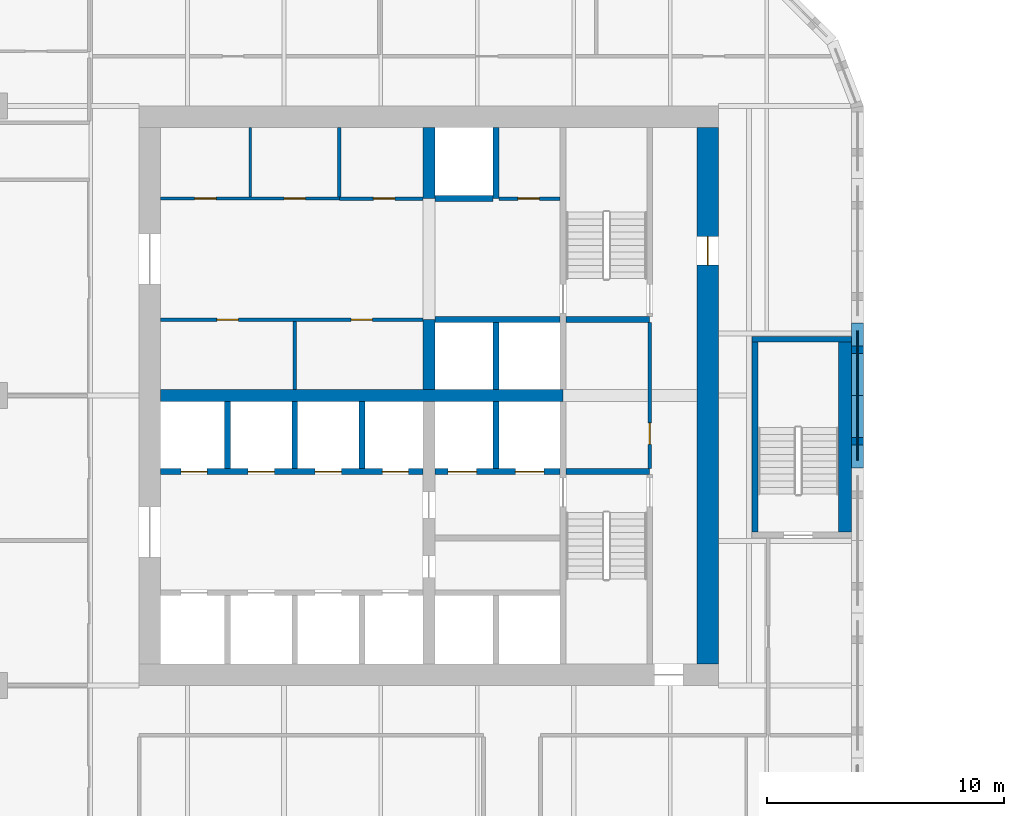
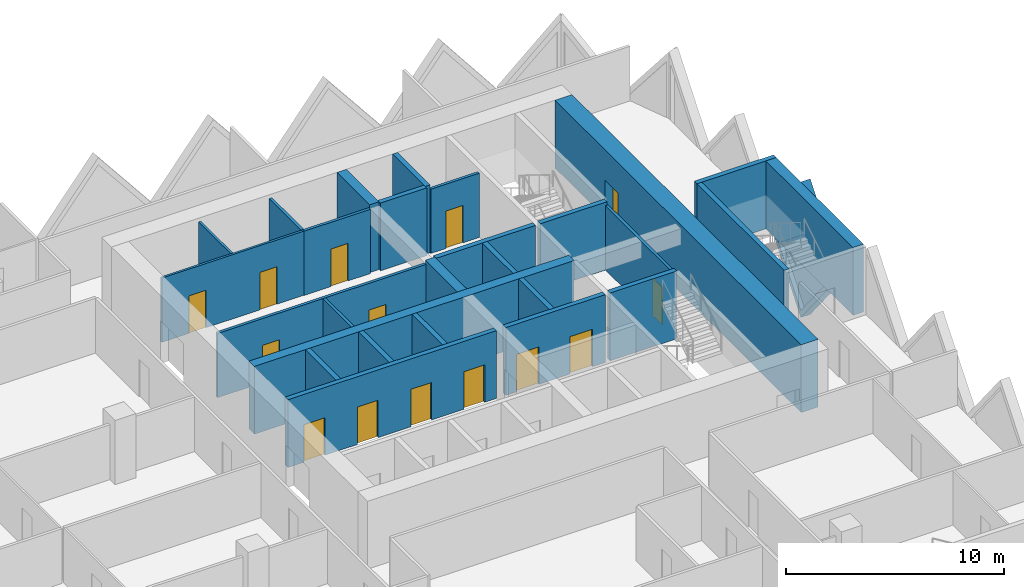
# One storey, part 9 of 18: 28 walls, 14 doors, 1 plate, 15 openings.
"""IFC4 building model written with IfcOpenShell, lengths in metres."""

from ifc_helpers import new_model, si_unit, direction, frame, frame_2d, origin, place, context, subcontext, project, spatial, polyline, rectangle, outline, extrude, faceted_brep, source, transform, mapped, material, layer, layer_set, type_object, element, fill, save


model = new_model("IFC4")

# Units and contexts
model_context = context("Model", 3, precision=1e-05, world=origin(), true_north=direction((0.0, 1.0)))
body_context = subcontext(model_context, "Body", "Model", "MODEL_VIEW")
ifc_project = project(units=[si_unit("LENGTHUNIT", "METRE"), si_unit("AREAUNIT", "SQUARE_METRE"), si_unit("VOLUMEUNIT", "CUBIC_METRE"), si_unit("PLANEANGLEUNIT", "RADIAN"), si_unit("MASSUNIT", "GRAM", prefix="KILO")], contexts=[model_context])

# Site, building, storey
site_placement = place(None, origin())
site = spatial("IfcSite", under=ifc_project, at=site_placement, CompositionType="ELEMENT")
building_placement = place(site_placement, origin())
building = spatial("IfcBuilding", under=site, at=building_placement, Name="Tessera Gate Towers", CompositionType="ELEMENT")
storey_placement = place(building_placement, frame((0.0, 0.0, 37.199951171875)))
storey = spatial("IfcBuildingStorey", under=building, at=storey_placement, Name="L08", CompositionType="ELEMENT", Elevation=37.199951171875)

# Wall, openings, doors
ifc_material_1 = material(Name="Concrete C40/50", Category="concrete")
ifc_layer_1 = layer(ifc_material_1, 0.25)
ifc_layer_set_1 = layer_set([ifc_layer_1], Name="CORE ENCLOSURE WALL 250")
wall_type_1 = type_object("IfcWallType", Name="CORE ENCLOSURE WALL 250", PredefinedType="SOLIDWALL", material=ifc_layer_set_1)
wall_1_placement = place(storey_placement, frame((42.449951171875, 33.39990234375, 0.0), z_axis=(0.0, 0.0, 1.0), x_axis=(-1.0, 0.0, 0.0)))
wall_1 = element("IfcWall", 1, at=wall_1_placement, inside=storey, type_object=wall_type_1, Name="L08 shaft and stair enclosure wall", PredefinedType="SOLIDWALL", context=body_context, shape_type="SweptSolid", body=[
    extrude(rectangle(XDim=11.050048828125, YDim=0.25, at=frame_2d((5.52490234375, 0.0))), origin(), (0.0, 0.0, 1.0), 3.800048828125),
])
shared_shape_1 = source(origin(), body_context, "Body", "SweptSolid", [
    extrude(rectangle(XDim=1.10009765625, YDim=2.10009765625, at=frame_2d((0.550048828125, 1.050048828125))), frame((0.0, 0.135009765625, 0.0), z_axis=(0.0, -1.0, 0.0), x_axis=(1.0, 0.0, 0.0)), (0.0, 0.0, 1.0), 0.27001953125),
])
opening_1_placement = place(wall_1_placement, frame((9.08740234375, 0.0, 0.0)))
opening_1 = element("IfcOpeningElement", 2, at=opening_1_placement, cuts=wall_1, Name="Opening LD-LR5", PredefinedType="OPENING", context=body_context, shape_type="MappedRepresentation", body=[
    mapped(shared_shape_1, transform((0.0, 0.0, 0.0), scale=1.0)),
])
opening_2_placement = place(wall_1_placement, frame((6.262451171875, 0.0, 0.0)))
opening_2 = element("IfcOpeningElement", 3, at=opening_2_placement, cuts=wall_1, Name="Opening LD-LR6", PredefinedType="OPENING", context=body_context, shape_type="MappedRepresentation", body=[
    mapped(shared_shape_1, transform((0.0, 0.0, 0.0), scale=1.0)),
])
opening_3_placement = place(wall_1_placement, frame((3.4375, 0.0, 0.0)))
opening_3 = element("IfcOpeningElement", 4, at=opening_3_placement, cuts=wall_1, Name="Opening LD-LR7", PredefinedType="OPENING", context=body_context, shape_type="MappedRepresentation", body=[
    mapped(shared_shape_1, transform((0.0, 0.0, 0.0), scale=1.0)),
])
opening_4_placement = place(wall_1_placement, frame((0.612548828125, 0.0, 0.0)))
opening_4 = element("IfcOpeningElement", 5, at=opening_4_placement, cuts=wall_1, Name="Opening LD-LR8", PredefinedType="OPENING", context=body_context, shape_type="MappedRepresentation", body=[
    mapped(shared_shape_1, transform((0.0, 0.0, 0.0), scale=1.0)),
])
ifc_material_2 = material(Name="Stainless steel", Category="steel")
door_type_1 = type_object("IfcDoorType", Name="CORE DOOR LD 1100x2100", OperationType="DOUBLE_DOOR_SLIDING", PredefinedType="DOOR", material=ifc_material_2)
shared_shape_2 = source(origin(), body_context, "Body", "SweptSolid", [
    extrude(rectangle(XDim=1.10009765625, YDim=2.10009765625, at=frame_2d((0.550048828125, 1.050048828125))), frame((0.0, 0.02490234375, 0.0), z_axis=(0.0, -1.0, 0.0), x_axis=(1.0, 0.0, 0.0)), (0.0, 0.0, 1.0), 0.050048828125),
])
door_1_placement = place(opening_1_placement, origin())
door_1 = element("IfcDoor", 6, at=door_1_placement, inside=storey, type_object=door_type_1, Name="Landing door LR5 L08", OperationType="DOUBLE_DOOR_SLIDING", OverallHeight=2.10009765625, OverallWidth=1.10009765625, PredefinedType="DOOR", context=body_context, shape_type="MappedRepresentation", body=[
    mapped(shared_shape_2, transform((0.0, 0.0, 0.0), scale=1.0)),
])
fill(opening_1, door_1)
door_2_placement = place(opening_2_placement, origin())
door_2 = element("IfcDoor", 7, at=door_2_placement, inside=storey, type_object=door_type_1, Name="Landing door LR6 L08", OperationType="DOUBLE_DOOR_SLIDING", OverallHeight=2.10009765625, OverallWidth=1.10009765625, PredefinedType="DOOR", context=body_context, shape_type="MappedRepresentation", body=[
    mapped(shared_shape_2, transform((0.0, 0.0, 0.0), scale=1.0)),
])
fill(opening_2, door_2)
door_3_placement = place(opening_3_placement, origin())
door_3 = element("IfcDoor", 8, at=door_3_placement, inside=storey, type_object=door_type_1, Name="Landing door LR7 L08", OperationType="DOUBLE_DOOR_SLIDING", OverallHeight=2.10009765625, OverallWidth=1.10009765625, PredefinedType="DOOR", context=body_context, shape_type="MappedRepresentation", body=[
    mapped(shared_shape_2, transform((0.0, 0.0, 0.0), scale=1.0)),
])
fill(opening_3, door_3)
door_4_placement = place(opening_4_placement, origin())
door_4 = element("IfcDoor", 9, at=door_4_placement, inside=storey, type_object=door_type_1, Name="Landing door LR8 L08", OperationType="DOUBLE_DOOR_SLIDING", OverallHeight=2.10009765625, OverallWidth=1.10009765625, PredefinedType="DOOR", context=body_context, shape_type="MappedRepresentation", body=[
    mapped(shared_shape_2, transform((0.0, 0.0, 0.0), scale=1.0)),
])
fill(opening_4, door_4)

wall_2_placement = place(storey_placement, frame((48.22509765625, 33.39990234375, 0.0), z_axis=(0.0, 0.0, 1.0), x_axis=(-1.0, 0.0, 0.0)))
wall_2 = element("IfcWall", 10, at=wall_2_placement, inside=storey, type_object=wall_type_1, Name="L08 shaft and stair enclosure wall", PredefinedType="SOLIDWALL", context=body_context, shape_type="SweptSolid", body=[
    extrude(rectangle(XDim=5.275146484375, YDim=0.25, at=frame_2d((2.6376953125, 0.0))), origin(), (0.0, 0.0, 1.0), 3.800048828125),
])
shared_shape_3 = source(origin(), body_context, "Body", "SweptSolid", [
    extrude(rectangle(XDim=1.199951171875, YDim=2.10009765625, at=frame_2d((0.60009765625, 1.050048828125))), frame((0.0, 0.135009765625, 0.0), z_axis=(0.0, -1.0, 0.0), x_axis=(1.0, 0.0, 0.0)), (0.0, 0.0, 1.0), 0.27001953125),
])
opening_5_placement = place(wall_2_placement, frame((3.512451171875, 0.0, 0.0)))
opening_5 = element("IfcOpeningElement", 11, at=opening_5_placement, cuts=wall_2, Name="Opening LD-FF1", PredefinedType="OPENING", context=body_context, shape_type="MappedRepresentation", body=[
    mapped(shared_shape_3, transform((0.0, 0.0, 0.0), scale=1.0)),
])
opening_6_placement = place(wall_2_placement, frame((0.6875, 0.0, 0.0)))
opening_6 = element("IfcOpeningElement", 12, at=opening_6_placement, cuts=wall_2, Name="Opening LD-FF2", PredefinedType="OPENING", context=body_context, shape_type="MappedRepresentation", body=[
    mapped(shared_shape_3, transform((0.0, 0.0, 0.0), scale=1.0)),
])
ifc_material_3 = material(Name="Stainless steel", Category="steel")
door_type_2 = type_object("IfcDoorType", Name="CORE DOOR LD1200 1200x2100", OperationType="DOUBLE_DOOR_SLIDING", PredefinedType="DOOR", material=ifc_material_3)
shared_shape_4 = source(origin(), body_context, "Body", "SweptSolid", [
    extrude(rectangle(XDim=1.199951171875, YDim=2.10009765625, at=frame_2d((0.60009765625, 1.050048828125))), frame((0.0, 0.02490234375, 0.0), z_axis=(0.0, -1.0, 0.0), x_axis=(1.0, 0.0, 0.0)), (0.0, 0.0, 1.0), 0.050048828125),
])
door_5_placement = place(opening_5_placement, origin())
door_5 = element("IfcDoor", 13, at=door_5_placement, inside=storey, type_object=door_type_2, Name="Landing door FF1 L08", OperationType="DOUBLE_DOOR_SLIDING", OverallHeight=2.10009765625, OverallWidth=1.199951171875, PredefinedType="DOOR", context=body_context, shape_type="MappedRepresentation", body=[
    mapped(shared_shape_4, transform((0.0, 0.0, 0.0), scale=1.0)),
])
fill(opening_5, door_5)
door_6_placement = place(opening_6_placement, origin())
door_6 = element("IfcDoor", 14, at=door_6_placement, inside=storey, type_object=door_type_2, Name="Landing door FF2 L08", OperationType="DOUBLE_DOOR_SLIDING", OverallHeight=2.10009765625, OverallWidth=1.199951171875, PredefinedType="DOOR", context=body_context, shape_type="MappedRepresentation", body=[
    mapped(shared_shape_4, transform((0.0, 0.0, 0.0), scale=1.0)),
])
fill(opening_6, door_6)

# Walls
wall_3_placement = place(storey_placement, frame((48.47509765625, 33.39990234375, 0.0), z_axis=(0.0, 0.0, 1.0), x_axis=(1.0, 0.0, 0.0)))
element("IfcWall", 15, at=wall_3_placement, inside=storey, type_object=wall_type_1, Name="L08 shaft and stair enclosure wall", PredefinedType="SOLIDWALL", context=body_context, shape_type="SweptSolid", body=[
    extrude(rectangle(XDim=3.52490234375, YDim=0.25, at=frame_2d((1.762451171875, 0.0))), origin(), (0.0, 0.0, 1.0), 3.800048828125),
])
wall_4_placement = place(storey_placement, frame((42.949951171875, 39.800048828125, 0.0), z_axis=(0.0, 0.0, 1.0), x_axis=(1.0, 0.0, 0.0)))
element("IfcWall", 16, at=wall_4_placement, inside=storey, type_object=wall_type_1, Name="L08 shaft and stair enclosure wall", PredefinedType="SOLIDWALL", context=body_context, shape_type="SweptSolid", body=[
    extrude(rectangle(XDim=5.275146484375, YDim=0.25, at=frame_2d((2.6376953125, 0.0))), origin(), (0.0, 0.0, 1.0), 3.800048828125),
])
wall_5_placement = place(storey_placement, frame((48.47509765625, 39.800048828125, 0.0), z_axis=(0.0, 0.0, 1.0), x_axis=(1.0, 0.0, 0.0)))
element("IfcWall", 17, at=wall_5_placement, inside=storey, type_object=wall_type_1, Name="L08 shaft and stair enclosure wall", PredefinedType="SOLIDWALL", context=body_context, shape_type="SweptSolid", body=[
    extrude(rectangle(XDim=3.52490234375, YDim=0.25, at=frame_2d((1.762451171875, 0.0))), origin(), (0.0, 0.0, 1.0), 3.800048828125),
])
wall_6_placement = place(storey_placement, frame((45.52490234375, 33.52490234375, 0.0), z_axis=(0.0, 0.0, 1.0), x_axis=(0.0, 1.0, 0.0)))
element("IfcWall", 18, at=wall_6_placement, inside=storey, type_object=wall_type_1, Name="L08 shaft and stair enclosure wall", PredefinedType="SOLIDWALL", context=body_context, shape_type="SweptSolid", body=[
    extrude(rectangle(XDim=2.8251953125, YDim=0.25, at=frame_2d((1.41259765625, 0.0))), origin(), (0.0, 0.0, 1.0), 3.800048828125),
])
wall_7_placement = place(storey_placement, frame((45.52490234375, 36.85009765625, 0.0), z_axis=(0.0, 0.0, 1.0), x_axis=(0.0, 1.0, 0.0)))
element("IfcWall", 19, at=wall_7_placement, inside=storey, type_object=wall_type_1, Name="L08 shaft and stair enclosure wall", PredefinedType="SOLIDWALL", context=body_context, shape_type="SweptSolid", body=[
    extrude(rectangle(XDim=2.824951171875, YDim=0.25, at=frame_2d((1.41259765625, 0.0))), origin(), (0.0, 0.0, 1.0), 3.800048828125),
])
for number, where, z_axis, x_axis, name in (
    (20, (34.22509765625, 33.52490234375, 0.0), (0.0, 0.0, 1.0), (0.0, 1.0, 0.0), "L08 shaft and stair enclosure wall"),
    (21, (37.050048828125, 33.52490234375, 0.0), (0.0, 0.0, 1.0), (0.0, 1.0, 0.0), "L08 shaft and stair enclosure wall"),
    (22, (39.875, 33.52490234375, 0.0), (0.0, 0.0, 1.0), (0.0, 1.0, 0.0), "L08 shaft and stair enclosure wall"),
):
    element("IfcWall", number, at=place(storey_placement, frame(where, z_axis=z_axis, x_axis=x_axis)), inside=storey, type_object=wall_type_1, Name=name, PredefinedType="SOLIDWALL", context=body_context, shape_type="SweptSolid", body=[
        extrude(rectangle(XDim=2.8251953125, YDim=0.25, at=frame_2d((1.41259765625, 0.0))), origin(), (0.0, 0.0, 1.0), 3.800048828125),
    ])
wall_8_placement = place(storey_placement, frame((45.52490234375, 44.89990234375, 0.0), z_axis=(0.0, 0.0, 1.0), x_axis=(0.0, 1.0, 0.0)))
element("IfcWall", 23, at=wall_8_placement, inside=storey, type_object=wall_type_1, Name="L08 shaft and stair enclosure wall", PredefinedType="SOLIDWALL", context=body_context, shape_type="SweptSolid", body=[
    extrude(rectangle(XDim=3.0, YDim=0.25, at=frame_2d((1.5, 0.0))), origin(), (0.0, 0.0, 1.0), 3.800048828125),
])
wall_9_placement = place(storey_placement, frame((42.949951171875, 44.89990234375, 0.0), z_axis=(0.0, 0.0, 1.0), x_axis=(1.0, 0.0, 0.0)))
element("IfcWall", 24, at=wall_9_placement, inside=storey, type_object=wall_type_1, Name="L08 shaft and stair enclosure wall", PredefinedType="SOLIDWALL", context=body_context, shape_type="SweptSolid", body=[
    extrude(rectangle(XDim=2.449951171875, YDim=0.25, at=frame_2d((1.22509765625, 0.0))), origin(), (0.0, 0.0, 1.0), 3.800048828125),
])
wall_10_placement = place(storey_placement, frame((56.425048828125, 30.85009765625, 0.0), z_axis=(0.0, 0.0, 1.0), x_axis=(0.0, 1.0, 0.0)))
element("IfcWall", 25, at=wall_10_placement, inside=storey, type_object=wall_type_1, Name="L08 ST5 enclosure wall", PredefinedType="SOLIDWALL", context=body_context, shape_type="SweptSolid", body=[
    extrude(rectangle(XDim=8.0, YDim=0.25, at=frame_2d((4.0, 0.0))), origin(), (0.0, 0.0, 1.0), 3.800048828125),
])
wall_11_placement = place(storey_placement, frame((56.300048828125, 38.97509765625, 0.0), z_axis=(0.0, 0.0, 1.0), x_axis=(1.0, 0.0, 0.0)))
element("IfcWall", 26, at=wall_11_placement, inside=storey, type_object=wall_type_1, Name="L08 ST5 enclosure wall", PredefinedType="SOLIDWALL", context=body_context, shape_type="SweptSolid", body=[
    extrude(rectangle(XDim=4.199951171875, YDim=0.25, at=frame_2d((2.10009765625, 0.0))), origin(), (0.0, 0.0, 1.0), 3.800048828125),
])
ifc_material_4 = material(Name="Concrete C40/50", Category="concrete")
ifc_layer_2 = layer(ifc_material_4, 0.550048828125)
ifc_layer_set_2 = layer_set([ifc_layer_2], Name="CORE ENCLOSURE WALL 550")
wall_type_2 = type_object("IfcWallType", Name="CORE ENCLOSURE WALL 550", PredefinedType="SOLIDWALL", material=ifc_layer_set_2)
wall_12_placement = place(storey_placement, frame((60.22509765625, 38.85009765625, 0.0), z_axis=(0.0, 0.0, 1.0), x_axis=(0.0, -1.0, 0.0)))
element("IfcWall", 27, at=wall_12_placement, inside=storey, type_object=wall_type_2, Name="L08 ST5 enclosure wall", PredefinedType="SOLIDWALL", context=body_context, shape_type="SweptSolid", body=[
    extrude(rectangle(XDim=8.0, YDim=0.550048828125, at=frame_2d((4.0, 0.0))), origin(), (0.0, 0.0, 1.0), 3.800048828125),
])

# Wall, openings, doors
ifc_material_5 = material(Name="Gypsum board on steel studs", Category="steel")
ifc_layer_3 = layer(ifc_material_5, 0.1201171875)
ifc_layer_set_3 = layer_set([ifc_layer_3], Name="CORE PARTITION 120")
wall_type_3 = type_object("IfcWallType", Name="CORE PARTITION 120", PredefinedType="PARTITIONING", material=ifc_layer_set_3)
wall_13_placement = place(storey_placement, frame((31.39990234375, 44.89990234375, 0.0), z_axis=(0.0, 0.0, 1.0), x_axis=(1.0, 0.0, 0.0)))
wall_13 = element("IfcWall", 28, at=wall_13_placement, inside=storey, type_object=wall_type_3, Name="L08 core partition", PredefinedType="PARTITIONING", context=body_context, shape_type="SweptSolid", body=[
    extrude(rectangle(XDim=7.525146484375, YDim=0.1201171875, at=frame_2d((3.7626953125, 0.0))), origin(), (0.0, 0.0, 1.0), 3.60009765625),
])
shared_shape_5 = source(origin(), body_context, "Body", "SweptSolid", [
    extrude(rectangle(XDim=0.89990234375, YDim=2.10009765625, at=frame_2d((0.449951171875, 1.050048828125))), frame((0.0, 0.070068359375, 0.0), z_axis=(0.0, -1.0, 0.0), x_axis=(1.0, 0.0, 0.0)), (0.0, 0.0, 1.0), 0.14013671875),
])
opening_7_placement = place(wall_13_placement, frame((1.4375, 0.0, 0.0)))
opening_7 = element("IfcOpeningElement", 29, at=opening_7_placement, cuts=wall_13, Name="Opening RD-T1-07-09", PredefinedType="OPENING", context=body_context, shape_type="MappedRepresentation", body=[
    mapped(shared_shape_5, transform((0.0, 0.0, 0.0), scale=1.0)),
])
opening_8_placement = place(wall_13_placement, frame((5.199951171875, 0.0, 0.0)))
opening_8 = element("IfcOpeningElement", 30, at=opening_8_placement, cuts=wall_13, Name="Opening RD-T1-07-10", PredefinedType="OPENING", context=body_context, shape_type="MappedRepresentation", body=[
    mapped(shared_shape_5, transform((0.0, 0.0, 0.0), scale=1.0)),
])
ifc_material_6 = material(Name="Hollow steel fire door", Category="steel")
door_type_3 = type_object("IfcDoorType", Name="CORE DOOR RD 900x2100", OperationType="NOTDEFINED", PredefinedType="DOOR", material=ifc_material_6)
shared_shape_6 = source(origin(), body_context, "Body", "SweptSolid", [
    extrude(rectangle(XDim=0.89990234375, YDim=2.10009765625, at=frame_2d((0.449951171875, 1.050048828125))), frame((0.0, 0.02490234375, 0.0), z_axis=(0.0, -1.0, 0.0), x_axis=(1.0, 0.0, 0.0)), (0.0, 0.0, 1.0), 0.050048828125),
])
door_7_placement = place(opening_7_placement, origin())
door_7 = element("IfcDoor", 31, at=door_7_placement, inside=storey, type_object=door_type_3, Name="Core room door", OperationType="SINGLE_SWING_LEFT", OverallHeight=2.10009765625, OverallWidth=0.89990234375, PredefinedType="DOOR", context=body_context, shape_type="MappedRepresentation", body=[
    mapped(shared_shape_6, transform((0.0, 0.0, 0.0), scale=1.0)),
])
fill(opening_7, door_7)
door_8_placement = place(opening_8_placement, origin())
door_8 = element("IfcDoor", 32, at=door_8_placement, inside=storey, type_object=door_type_3, Name="Core room door", OperationType="SINGLE_SWING_RIGHT", OverallHeight=2.10009765625, OverallWidth=0.89990234375, PredefinedType="DOOR", context=body_context, shape_type="MappedRepresentation", body=[
    mapped(shared_shape_6, transform((0.0, 0.0, 0.0), scale=1.0)),
])
fill(opening_8, door_8)

# Wall
wall_14_placement = place(storey_placement, frame((35.175048828125, 44.9599609375, 0.0), z_axis=(0.0, 0.0, 1.0), x_axis=(0.0, 1.0, 0.0)))
element("IfcWall", 33, at=wall_14_placement, inside=storey, type_object=wall_type_3, Name="L08 core partition", PredefinedType="PARTITIONING", context=body_context, shape_type="SweptSolid", body=[
    extrude(rectangle(XDim=2.93994140625, YDim=0.1201171875, at=frame_2d((1.469970703125, 0.0))), origin(), (0.0, 0.0, 1.0), 3.60009765625),
])

# Wall, opening, door
ifc_material_7 = material(Name="Concrete C70/85", Category="concrete")
ifc_layer_4 = layer(ifc_material_7, 0.89990234375)
ifc_layer_set_4 = layer_set([ifc_layer_4], Name="CORE SHEAR WALL 900 C70/85")
wall_type_4 = type_object("IfcWallType", Name="CORE SHEAR WALL 900 C70/85", PredefinedType="SHEAR", material=ifc_layer_set_4)
wall_15_placement = place(storey_placement, frame((54.449951171875, 47.89990234375, 0.0), z_axis=(0.0, 0.0, 1.0), x_axis=(0.0, -1.0, 0.0)))
wall_15 = element("IfcWall", 34, at=wall_15_placement, inside=storey, type_object=wall_type_4, Name="Core wall E L08", PredefinedType="SHEAR", context=body_context, shape_type="SweptSolid", body=[
    extrude(rectangle(XDim=22.599853515625, YDim=0.89990234375, at=frame_2d((11.2998046875, 0.0))), origin(), (0.0, 0.0, 1.0), 3.800048828125),
])
shared_shape_7 = source(origin(), body_context, "Body", "SweptSolid", [
    extrude(rectangle(XDim=1.199951171875, YDim=2.10009765625, at=frame_2d((0.60009765625, 1.050048828125))), frame((0.0, 0.4599609375, 0.0), z_axis=(0.0, -1.0, 0.0), x_axis=(1.0, 0.0, 0.0)), (0.0, 0.0, 1.0), 0.919921875),
])
opening_9_placement = place(wall_15_placement, frame((4.60009765625, 0.0, 0.0)))
opening_9 = element("IfcOpeningElement", 35, at=opening_9_placement, cuts=wall_15, Name="Opening ED-T1-07-04", PredefinedType="OPENING", context=body_context, shape_type="MappedRepresentation", body=[
    mapped(shared_shape_7, transform((0.0, 0.0, 0.0), scale=1.0)),
])
ifc_material_8 = material(Name="Hollow steel fire door", Category="steel")
door_type_4 = type_object("IfcDoorType", Name="CORE DOOR ED 1200x2100", OperationType="NOTDEFINED", PredefinedType="DOOR", material=ifc_material_8)
door_9_placement = place(opening_9_placement, origin())
door_9 = element("IfcDoor", 36, at=door_9_placement, inside=storey, type_object=door_type_4, Name="Core exit door", OperationType="SINGLE_SWING_LEFT", OverallHeight=2.10009765625, OverallWidth=1.199951171875, PredefinedType="DOOR", context=body_context, shape_type="MappedRepresentation", body=[
    mapped(shared_shape_4, transform((0.0, 0.0, 0.0), scale=1.0)),
])
fill(opening_9, door_9)

# Walls
ifc_material_9 = material(Name="Concrete C70/85", Category="concrete")
ifc_layer_5 = layer(ifc_material_9, 0.5)
ifc_layer_set_5 = layer_set([ifc_layer_5], Name="CORE SPINE WALL 500 C70/85")
wall_type_5 = type_object("IfcWallType", Name="CORE SPINE WALL 500 C70/85", PredefinedType="SHEAR", material=ifc_layer_set_5)
wall_16_placement = place(storey_placement, frame((31.39990234375, 36.60009765625, 0.0), z_axis=(0.0, 0.0, 1.0), x_axis=(1.0, 0.0, 0.0)))
element("IfcWall", 37, at=wall_16_placement, inside=storey, type_object=wall_type_5, Name="Core wall spine L08", PredefinedType="SHEAR", context=body_context, shape_type="SweptSolid", body=[
    extrude(rectangle(XDim=16.9501953125, YDim=0.5, at=frame_2d((8.47509765625, 0.0))), origin(), (0.0, 0.0, 1.0), 3.800048828125),
])
wall_17_placement = place(storey_placement, frame((42.699951171875, 36.85009765625, 0.0), z_axis=(0.0, 0.0, 1.0), x_axis=(0.0, 1.0, 0.0)))
element("IfcWall", 38, at=wall_17_placement, inside=storey, type_object=wall_type_5, Name="Core wall spine L08", PredefinedType="SHEAR", context=body_context, shape_type="SweptSolid", body=[
    extrude(rectangle(XDim=2.949951171875, YDim=0.5, at=frame_2d((1.47509765625, 0.0))), origin(), (0.0, 0.0, 1.0), 3.800048828125),
])
wall_18_placement = place(storey_placement, frame((42.699951171875, 44.89990234375, 0.0), z_axis=(0.0, 0.0, 1.0), x_axis=(0.0, 1.0, 0.0)))
element("IfcWall", 39, at=wall_18_placement, inside=storey, type_object=wall_type_5, Name="Core wall spine L08", PredefinedType="SHEAR", context=body_context, shape_type="SweptSolid", body=[
    extrude(rectangle(XDim=3.0, YDim=0.5, at=frame_2d((1.5, 0.0))), origin(), (0.0, 0.0, 1.0), 3.800048828125),
])

# Wall, openings, doors
ifc_material_10 = material(Name="Gypsum board on steel studs", Category="steel")
ifc_layer_6 = layer(ifc_material_10, 0.14990234375)
ifc_layer_set_6 = layer_set([ifc_layer_6], Name="SERVICE ROOM WALL 150")
wall_type_6 = type_object("IfcWallType", Name="SERVICE ROOM WALL 150", PredefinedType="PARTITIONING", material=ifc_layer_set_6)
wall_19_placement = place(storey_placement, frame((42.449951171875, 39.800048828125, 0.0), z_axis=(0.0, 0.0, 1.0), x_axis=(-1.0, 0.0, 0.0)))
wall_19 = element("IfcWall", 40, at=wall_19_placement, inside=storey, type_object=wall_type_6, Name="L08 service room wall", PredefinedType="PARTITIONING", context=body_context, shape_type="SweptSolid", body=[
    extrude(rectangle(XDim=11.050048828125, YDim=0.14990234375, at=frame_2d((5.52490234375, 0.0))), origin(), (0.0, 0.0, 1.0), 3.60009765625),
])
shared_shape_8 = source(origin(), body_context, "Body", "SweptSolid", [
    extrude(rectangle(XDim=0.89990234375, YDim=2.10009765625, at=frame_2d((0.449951171875, 1.050048828125))), frame((0.0, 0.0849609375, 0.0), z_axis=(0.0, -1.0, 0.0), x_axis=(1.0, 0.0, 0.0)), (0.0, 0.0, 1.0), 0.169921875),
])
opening_10_placement = place(wall_19_placement, frame((7.77490234375, 0.0, 0.0)))
opening_10 = element("IfcOpeningElement", 41, at=opening_10_placement, cuts=wall_19, Name="Opening RD-T1-07-07", PredefinedType="OPENING", context=body_context, shape_type="MappedRepresentation", body=[
    mapped(shared_shape_8, transform((0.0, 0.0, 0.0), scale=1.0)),
])
opening_11_placement = place(wall_19_placement, frame((2.125, 0.0, 0.0)))
opening_11 = element("IfcOpeningElement", 42, at=opening_11_placement, cuts=wall_19, Name="Opening RD-T1-07-08", PredefinedType="OPENING", context=body_context, shape_type="MappedRepresentation", body=[
    mapped(shared_shape_8, transform((0.0, 0.0, 0.0), scale=1.0)),
])
door_10_placement = place(opening_10_placement, origin())
door_10 = element("IfcDoor", 43, at=door_10_placement, inside=storey, type_object=door_type_3, Name="Core room door", OperationType="SINGLE_SWING_RIGHT", OverallHeight=2.10009765625, OverallWidth=0.89990234375, PredefinedType="DOOR", context=body_context, shape_type="MappedRepresentation", body=[
    mapped(shared_shape_6, transform((0.0, 0.0, 0.0), scale=1.0)),
])
fill(opening_10, door_10)
door_11_placement = place(opening_11_placement, origin())
door_11 = element("IfcDoor", 44, at=door_11_placement, inside=storey, type_object=door_type_3, Name="Core room door", OperationType="SINGLE_SWING_LEFT", OverallHeight=2.10009765625, OverallWidth=0.89990234375, PredefinedType="DOOR", context=body_context, shape_type="MappedRepresentation", body=[
    mapped(shared_shape_6, transform((0.0, 0.0, 0.0), scale=1.0)),
])
fill(opening_11, door_11)

# Wall, opening, door
wall_20_placement = place(storey_placement, frame((52.0, 33.52490234375, 0.0), z_axis=(0.0, 0.0, 1.0), x_axis=(0.0, 1.0, 0.0)))
wall_20 = element("IfcWall", 45, at=wall_20_placement, inside=storey, type_object=wall_type_6, Name="L08 service room wall", PredefinedType="PARTITIONING", context=body_context, shape_type="SweptSolid", body=[
    extrude(rectangle(XDim=6.150146484375, YDim=0.14990234375, at=frame_2d((3.0751953125, 0.0))), origin(), (0.0, 0.0, 1.0), 3.60009765625),
])
opening_12_placement = place(wall_20_placement, frame((1.02490234375, 0.0, 0.0)))
opening_12 = element("IfcOpeningElement", 46, at=opening_12_placement, cuts=wall_20, Name="Opening RD-T1-07-11", PredefinedType="OPENING", context=body_context, shape_type="MappedRepresentation", body=[
    mapped(shared_shape_8, transform((0.0, 0.0, 0.0), scale=1.0)),
])
door_12_placement = place(opening_12_placement, origin())
door_12 = element("IfcDoor", 47, at=door_12_placement, inside=storey, type_object=door_type_3, Name="Core room door", OperationType="SINGLE_SWING_LEFT", OverallHeight=2.10009765625, OverallWidth=0.89990234375, PredefinedType="DOOR", context=body_context, shape_type="MappedRepresentation", body=[
    mapped(shared_shape_6, transform((0.0, 0.0, 0.0), scale=1.0)),
])
fill(opening_12, door_12)

wall_21_placement = place(storey_placement, frame((38.925048828125, 44.89990234375, 0.0), z_axis=(0.0, 0.0, 1.0), x_axis=(1.0, 0.0, 0.0)))
wall_21 = element("IfcWall", 48, at=wall_21_placement, inside=storey, type_object=wall_type_6, Name="L08 service room wall", PredefinedType="PARTITIONING", context=body_context, shape_type="SweptSolid", body=[
    extrude(rectangle(XDim=3.52490234375, YDim=0.14990234375, at=frame_2d((1.762451171875, 0.0))), origin(), (0.0, 0.0, 1.0), 3.60009765625),
])
opening_13_placement = place(wall_21_placement, frame((1.4375, 0.0, 0.0)))
opening_13 = element("IfcOpeningElement", 49, at=opening_13_placement, cuts=wall_21, Name="Opening RD-T1-07-12", PredefinedType="OPENING", context=body_context, shape_type="MappedRepresentation", body=[
    mapped(shared_shape_8, transform((0.0, 0.0, 0.0), scale=1.0)),
])
door_13_placement = place(opening_13_placement, origin())
door_13 = element("IfcDoor", 50, at=door_13_placement, inside=storey, type_object=door_type_3, Name="Core room door", OperationType="SINGLE_SWING_RIGHT", OverallHeight=2.10009765625, OverallWidth=0.89990234375, PredefinedType="DOOR", context=body_context, shape_type="MappedRepresentation", body=[
    mapped(shared_shape_6, transform((0.0, 0.0, 0.0), scale=1.0)),
])
fill(opening_13, door_13)

# Walls
wall_22_placement = place(storey_placement, frame((37.050048828125, 36.85009765625, 0.0), z_axis=(0.0, 0.0, 1.0), x_axis=(0.0, 1.0, 0.0)))
element("IfcWall", 51, at=wall_22_placement, inside=storey, type_object=wall_type_6, Name="L08 service room wall", PredefinedType="PARTITIONING", context=body_context, shape_type="SweptSolid", body=[
    extrude(rectangle(XDim=2.875, YDim=0.14990234375, at=frame_2d((1.4375, 0.0))), origin(), (0.0, 0.0, 1.0), 3.60009765625),
])
wall_23_placement = place(storey_placement, frame((38.925048828125, 44.97509765625, 0.0), z_axis=(0.0, 0.0, 1.0), x_axis=(0.0, 1.0, 0.0)))
element("IfcWall", 52, at=wall_23_placement, inside=storey, type_object=wall_type_6, Name="L08 service room wall", PredefinedType="PARTITIONING", context=body_context, shape_type="SweptSolid", body=[
    extrude(rectangle(XDim=2.9248046875, YDim=0.14990234375, at=frame_2d((1.46240234375, 0.0))), origin(), (0.0, 0.0, 1.0), 3.60009765625),
])

# Wall, opening, door
wall_24_placement = place(storey_placement, frame((45.64990234375, 44.89990234375, 0.0), z_axis=(0.0, 0.0, 1.0), x_axis=(1.0, 0.0, 0.0)))
wall_24 = element("IfcWall", 53, at=wall_24_placement, inside=storey, type_object=wall_type_6, Name="L08 service room wall", PredefinedType="PARTITIONING", context=body_context, shape_type="SweptSolid", body=[
    extrude(rectangle(XDim=2.5751953125, YDim=0.14990234375, at=frame_2d((1.28759765625, 0.0))), origin(), (0.0, 0.0, 1.0), 3.60009765625),
])
opening_14_placement = place(wall_24_placement, frame((0.800048828125, 0.0, 0.0)))
opening_14 = element("IfcOpeningElement", 54, at=opening_14_placement, cuts=wall_24, Name="Opening RD-T1-07-13", PredefinedType="OPENING", context=body_context, shape_type="MappedRepresentation", body=[
    mapped(shared_shape_8, transform((0.0, 0.0, 0.0), scale=1.0)),
])
door_14_placement = place(opening_14_placement, origin())
door_14 = element("IfcDoor", 55, at=door_14_placement, inside=storey, type_object=door_type_3, Name="Core room door", OperationType="SINGLE_SWING_LEFT", OverallHeight=2.10009765625, OverallWidth=0.89990234375, PredefinedType="DOOR", context=body_context, shape_type="MappedRepresentation", body=[
    mapped(shared_shape_6, transform((0.0, 0.0, 0.0), scale=1.0)),
])
fill(opening_14, door_14)

# Wall, opening, plate
ifc_material_11 = material(Name="Precast concrete C60/75 white", Category="concrete")
ifc_layer_7 = layer(ifc_material_11, 0.5)
ifc_layer_set_7 = layer_set([ifc_layer_7], Name="TS1 tessera")
wall_type_7 = type_object("IfcWallType", Name="TS1 tessera", PredefinedType="SOLIDWALL", material=ifc_layer_set_7)
shared_shape_9 = source(origin(), body_context, "Body", "Brep", [
    faceted_brep([(3.050048828125, -0.25, 0.0), (6.099853515625, -0.25, 3.7998046875), (6.099853515625, -0.25, 3.80029296875), (3.050048828125, -0.25, 7.60009765625), (0.0, -0.25, 3.800048828125), (0.0, 0.25, 3.800048828125), (3.050048828125, 0.25, 7.60009765625), (6.099853515625, 0.25, 3.80029296875), (6.099853515625, 0.25, 3.7998046875), (3.050048828125, 0.25, 0.0)], [[[0, 1, 2, 3, 4]], [[5, 6, 7, 8, 9]], [[9, 8, 1, 0]], [[7, 6, 3, 2]], [[6, 5, 4, 3]], [[5, 9, 0, 4]], [[1, 8, 7, 2]]]),
])
wall_25_placement = place(storey_placement, frame((60.75, 33.550048828125, -3.800048828125), z_axis=(0.0, 0.0, 1.0), x_axis=(0.0, 1.0, 0.0)))
wall_25 = element("IfcWall", 56, at=wall_25_placement, inside=storey, type_object=wall_type_7, Name="Precast tessera T1 TS1-0077", PredefinedType="SOLIDWALL", context=body_context, shape_type="MappedRepresentation", body=[
    mapped(shared_shape_9, transform((0.0, 0.0, 0.0), scale=1.0)),
])
shared_shape_10 = source(origin(), body_context, "Body", "SweptSolid", [
    extrude(outline(polyline([(3.050048828125, 0.3994140625), (5.779541015625, 3.800048828125), (3.050048828125, 7.20068359375), (0.320556640625, 3.800048828125), (3.050048828125, 0.3994140625)])), frame((0.0, 0.260009765625, 0.0), z_axis=(0.0, -1.0, 0.0), x_axis=(1.0, 0.0, 0.0)), (0.0, 0.0, 1.0), 0.52001953125),
])
opening_15_placement = place(wall_25_placement, origin())
opening_15 = element("IfcOpeningElement", 57, at=opening_15_placement, cuts=wall_25, Name="Opening T1-PL2-0153", PredefinedType="OPENING", context=body_context, shape_type="MappedRepresentation", body=[
    mapped(shared_shape_10, transform((0.0, 0.0, 0.0), scale=1.0)),
])
ifc_material_12 = material(Name="Low-e laminated glass", Category="glass")
ifc_layer_8 = layer(ifc_material_12, 0.06005859375)
ifc_layer_set_8 = layer_set([ifc_layer_8], Name="PL2 rhombic pane")
plate_type = type_object("IfcPlateType", Name="PL2 rhombic pane", PredefinedType="SHEET", material=ifc_layer_set_8)
shared_shape_11 = source(origin(), body_context, "Body", "SweptSolid", [
    extrude(outline(polyline([(3.050048828125, 0.3994140625), (5.779541015625, 3.800048828125), (3.050048828125, 7.20068359375), (0.320556640625, 3.800048828125), (3.050048828125, 0.3994140625)])), frame((0.0, 0.030029296875, 0.0), z_axis=(0.0, -1.0, 0.0), x_axis=(1.0, 0.0, 0.0)), (0.0, 0.0, 1.0), 0.06005859375),
])
plate_placement = place(opening_15_placement, origin())
plate = element("IfcPlate", 58, at=plate_placement, inside=storey, type_object=plate_type, Name="Glass pane T1 PL2-0153", PredefinedType="SHEET", context=body_context, shape_type="MappedRepresentation", body=[
    mapped(shared_shape_11, transform((0.0, 0.0, 0.0), scale=1.0)),
])
fill(opening_15, plate)

save(model, "model.ifc")
